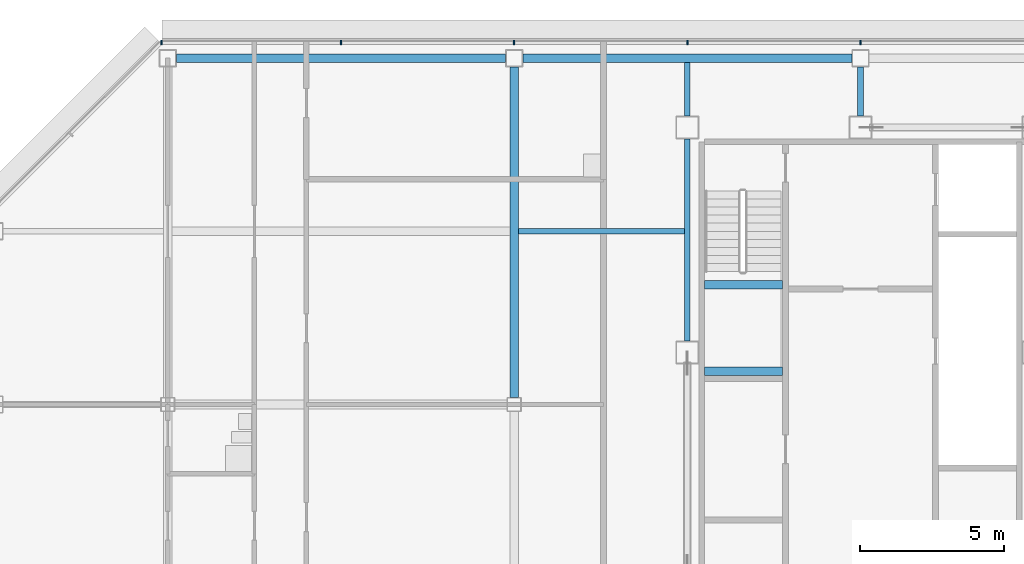
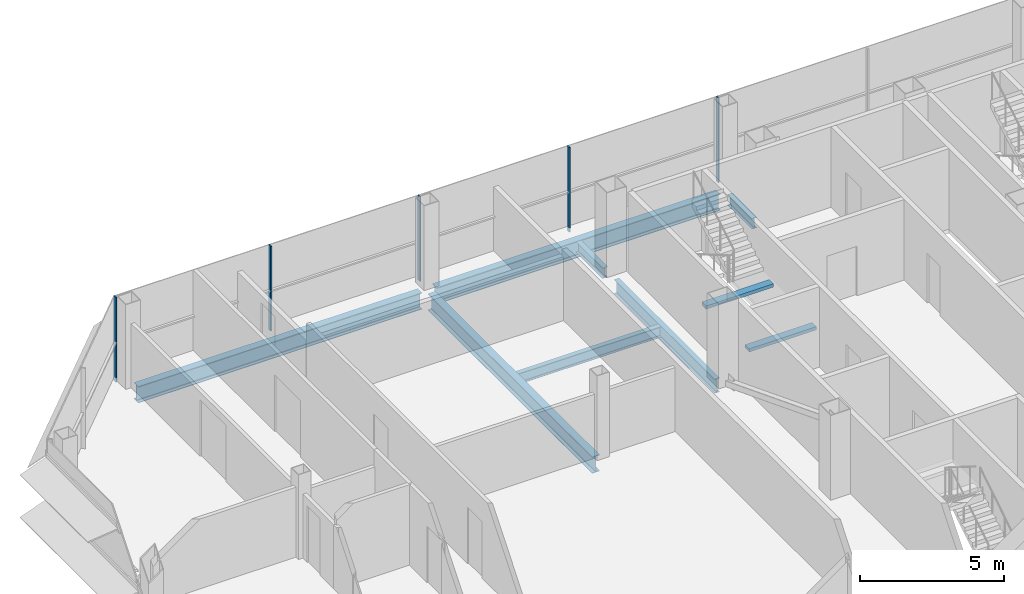
# One storey, part 13 of 27: 9 beams, 5 members, 1 element without a shape of its own.
"""IFC4 building model written with IfcOpenShell, lengths in metres."""

from ifc_helpers import new_model, si_unit, direction, frame, origin, origin_2d, place, context, subcontext, project, spatial, rectangle, i_section, extrude, material, material_profile, profile_set, type_object, element, aggregate, save


model = new_model("IFC4")

# Units and contexts
model_context = context("Model", 3, precision=1e-05, world=origin(), true_north=direction((0.0, 1.0)))
body_context = subcontext(model_context, "Body", "Model", "MODEL_VIEW")
ifc_project = project(units=[si_unit("LENGTHUNIT", "METRE"), si_unit("AREAUNIT", "SQUARE_METRE"), si_unit("VOLUMEUNIT", "CUBIC_METRE"), si_unit("PLANEANGLEUNIT", "RADIAN"), si_unit("MASSUNIT", "GRAM", prefix="KILO")], contexts=[model_context])

# Site, building, storey
site_placement = place(None, origin())
site = spatial("IfcSite", under=ifc_project, at=site_placement, CompositionType="ELEMENT")
building_placement = place(site_placement, origin())
building = spatial("IfcBuilding", under=site, at=building_placement, Name="Sorahane Residences", CompositionType="ELEMENT")
storey_placement = place(building_placement, frame((0.0, 0.0, 294.39990234375)))
storey = spatial("IfcBuildingStorey", under=building, at=storey_placement, Name="L69", CompositionType="ELEMENT", Elevation=294.39990234375)

# Curtain wall, members
ifc_material_1 = material(Name="Dark low-e glass and black anodised aluminium", Category="aluminium")
curtain_wall_type = type_object("IfcCurtainWallType", Name="Curtain wall CW-1 Typical unitised wall", PredefinedType="NOTDEFINED", material=ifc_material_1)
curtain_wall_placement = place(storey_placement, origin())
curtain_wall = element("IfcCurtainWall", 1, at=curtain_wall_placement, inside=storey, type_object=curtain_wall_type, Name="CW-1 curtain wall L69 N1", PredefinedType="NOTDEFINED")
ifc_material_2 = material(Name="Black anodised aluminium", Category="aluminium")
ifc_material_profile_1 = material_profile(ifc_material_2, rectangle(XDim=0.159912109375, YDim=0.050048828125, at=origin_2d()), Name="Curtain wall mullion CW-1 black anodised aluminium 50x160")
ifc_profile_set_1 = profile_set([ifc_material_profile_1], Name="Black anodised aluminium")
member_type = type_object("IfcMemberType", Name="Curtain wall mullion CW-1 black anodised aluminium 50x160", PredefinedType="MULLION", material=ifc_profile_set_1)
member_1_placement = place(storey_placement, frame((12.0, 48.5400390625, -0.179931640625), z_axis=(0.0, 0.0, 1.0), x_axis=(0.0, 1.0, 0.0)))
member_1 = element("IfcMember", 2, at=member_1_placement, type_object=member_type, Name="CW-1 mullion L69 N1.6", PredefinedType="MULLION", context=body_context, shape_type="SweptSolid", body=[
    extrude(rectangle(XDim=0.159912109375, YDim=0.050048828125, at=origin_2d()), origin(), (0.0, 0.0, 1.0), 3.60009765625),
])
member_2_placement = place(storey_placement, frame((6.0, 48.5400390625, -0.179931640625), z_axis=(0.0, 0.0, 1.0), x_axis=(0.0, 1.0, 0.0)))
member_2 = element("IfcMember", 3, at=member_2_placement, type_object=member_type, Name="CW-1 mullion L69 N1.7", PredefinedType="MULLION", context=body_context, shape_type="SweptSolid", body=[
    extrude(rectangle(XDim=0.159912109375, YDim=0.050048828125, at=origin_2d()), origin(), (0.0, 0.0, 1.0), 3.60009765625),
])
member_3_placement = place(storey_placement, frame((0.0, 48.5400390625, -0.179931640625), z_axis=(0.0, 0.0, 1.0), x_axis=(0.0, 1.0, 0.0)))
member_3 = element("IfcMember", 4, at=member_3_placement, type_object=member_type, Name="CW-1 mullion L69 N1.8", PredefinedType="MULLION", context=body_context, shape_type="SweptSolid", body=[
    extrude(rectangle(XDim=0.159912109375, YDim=0.050048828125, at=origin_2d()), origin(), (0.0, 0.0, 1.0), 3.60009765625),
])
member_4_placement = place(storey_placement, frame((-6.0, 48.5400390625, -0.179931640625), z_axis=(0.0, 0.0, 1.0), x_axis=(0.0, 1.0, 0.0)))
member_4 = element("IfcMember", 5, at=member_4_placement, type_object=member_type, Name="CW-1 mullion L69 N1.9", PredefinedType="MULLION", context=body_context, shape_type="SweptSolid", body=[
    extrude(rectangle(XDim=0.159912109375, YDim=0.050048828125, at=origin_2d()), origin(), (0.0, 0.0, 1.0), 3.60009765625),
])
member_5_placement = place(storey_placement, frame((-12.2236328125, 48.5400390625, -0.179931640625), z_axis=(0.0, 0.0, 1.0), x_axis=(0.0, 1.0, 0.0)))
member_5 = element("IfcMember", 6, at=member_5_placement, type_object=member_type, Name="CW-1 mullion L69 N1.10", PredefinedType="MULLION", context=body_context, shape_type="SweptSolid", body=[
    extrude(rectangle(XDim=0.159912109375, YDim=0.050048828125, at=origin_2d()), origin(), (0.0, 0.0, 1.0), 3.60009765625),
])
aggregate(curtain_wall, [member_1, member_2, member_3, member_4, member_5])

# Beams
ifc_material_3 = material(Name="Concrete C40", Category="concrete")
ifc_material_profile_2 = material_profile(ifc_material_3, rectangle(XDim=0.300048828125, YDim=0.139892578125, at=origin_2d()), Name="300x140")
ifc_profile_set_2 = profile_set([ifc_material_profile_2], Name="Concrete C40")
beam_type_1 = type_object("IfcBeamType", Name="RC landing beam 300 x 140 Concrete C40", PredefinedType="BEAM", material=ifc_profile_set_2)
for number, where, z_axis, x_axis, name in (
    (7, (6.60009765625, 37.14990234375, 1.530029296875), (1.0, 0.0, 0.0), (0.0, 1.0, 0.0), "Landing beam"),
    (8, (6.60009765625, 40.14990234375, 1.530029296875), (1.0, 0.0, 0.0), (0.0, 1.0, 0.0), "Landing beam"),
):
    element("IfcBeam", number, at=place(storey_placement, frame(where, z_axis=z_axis, x_axis=x_axis)), inside=storey, type_object=beam_type_1, Name=name, PredefinedType="BEAM", context=body_context, shape_type="SweptSolid", body=[
        extrude(rectangle(XDim=0.300048828125, YDim=0.139892578125, at=origin_2d()), origin(), (0.0, 0.0, 1.0), 2.699951171875),
    ])
ifc_material_4 = material(Name="Steel Q355B", Category="steel")
ifc_material_profile_3 = material_profile(ifc_material_4, i_section(OverallWidth=0.199951171875, OverallDepth=0.449951171875, WebThickness=0.009033203125, FlangeThickness=0.013916015625, FilletRadius=0.02001953125, at=origin_2d()), Name="HN 450x200x9x14")
ifc_profile_set_3 = profile_set([ifc_material_profile_3], Name="Steel Q355B")
beam_type_2 = type_object("IfcBeamType", Name="Steel floor beam HN 450x200x9x14 Q355B", PredefinedType="BEAM", material=ifc_profile_set_3)
beam_1_placement = place(storey_placement, frame((6.0, 46.0, -0.40478515625), z_axis=(0.0, 1.0, 0.0), x_axis=(-1.0, 0.0, 0.0)))
element("IfcBeam", 9, at=beam_1_placement, inside=storey, type_object=beam_type_2, Name="Beam L69 037", PredefinedType="BEAM", context=body_context, shape_type="SweptSolid", body=[
    extrude(i_section(OverallWidth=0.199951171875, OverallDepth=0.449951171875, WebThickness=0.009033203125, FlangeThickness=0.013916015625, FilletRadius=0.02001953125, at=origin_2d()), origin(), (0.0, 0.0, 1.0), 1.85009765625),
])
beam_2_placement = place(storey_placement, frame((12.0, 46.0, -0.40478515625), z_axis=(0.0, 1.0, 0.0), x_axis=(-1.0, 0.0, 0.0)))
element("IfcBeam", 10, at=beam_2_placement, inside=storey, type_object=beam_type_2, Name="Beam L69 039", PredefinedType="BEAM", context=body_context, shape_type="SweptSolid", body=[
    extrude(i_section(OverallWidth=0.199951171875, OverallDepth=0.449951171875, WebThickness=0.009033203125, FlangeThickness=0.013916015625, FilletRadius=0.02001953125, at=origin_2d()), origin(), (0.0, 0.0, 1.0), 1.699951171875),
])
beam_3_placement = place(storey_placement, frame((0.14990234375, 42.0, -0.40478515625), z_axis=(1.0, 0.0, 0.0), x_axis=(0.0, 1.0, 0.0)))
element("IfcBeam", 11, at=beam_3_placement, inside=storey, type_object=beam_type_2, Name="Beam L69 089", PredefinedType="BEAM", context=body_context, shape_type="SweptSolid", body=[
    extrude(i_section(OverallWidth=0.199951171875, OverallDepth=0.449951171875, WebThickness=0.009033203125, FlangeThickness=0.013916015625, FilletRadius=0.02001953125, at=origin_2d()), origin(), (0.0, 0.0, 1.0), 5.75),
])
ifc_material_5 = material(Name="Steel Q355B", Category="steel")
ifc_material_profile_4 = material_profile(ifc_material_5, i_section(OverallWidth=0.199951171875, OverallDepth=0.60009765625, WebThickness=0.010986328125, FlangeThickness=0.01708984375, FilletRadius=0.02392578125, at=origin_2d()), Name="HN 600x200x11x17")
ifc_profile_set_4 = profile_set([ifc_material_profile_4], Name="Steel Q355B")
beam_type_3 = type_object("IfcBeamType", Name="Steel floor beam HN 600x200x11x17 Q355B", PredefinedType="BEAM", material=ifc_profile_set_4)
beam_4_placement = place(storey_placement, frame((6.0, 38.199951171875, -0.47998046875), z_axis=(0.0, 1.0, 0.0), x_axis=(-1.0, 0.0, 0.0)))
element("IfcBeam", 12, at=beam_4_placement, inside=storey, type_object=beam_type_3, Name="Beam L69 036", PredefinedType="BEAM", context=body_context, shape_type="SweptSolid", body=[
    extrude(i_section(OverallWidth=0.199951171875, OverallDepth=0.60009765625, WebThickness=0.010986328125, FlangeThickness=0.01708984375, FilletRadius=0.02392578125, at=origin_2d()), origin(), (0.0, 0.0, 1.0), 7.0),
])
ifc_material_6 = material(Name="Steel Q355B", Category="steel")
ifc_material_profile_5 = material_profile(ifc_material_6, i_section(OverallWidth=0.300048828125, OverallDepth=0.699951171875, WebThickness=0.012939453125, FlangeThickness=0.02392578125, FilletRadius=0.028076171875, at=origin_2d()), Name="HN 700x300x13x24")
ifc_profile_set_5 = profile_set([ifc_material_profile_5], Name="Steel Q355B")
beam_type_4 = type_object("IfcBeamType", Name="Steel floor beam HN 700x300x13x24 Q355B", PredefinedType="BEAM", material=ifc_profile_set_5)
for number, where, z_axis, x_axis, name in (
    (13, (-11.699951171875, 48.0, -0.52978515625), (1.0, 0.0, 0.0), (0.0, 1.0, 0.0), "Beam L69 015"),
    (14, (0.300048828125, 48.0, -0.52978515625), (1.0, 0.0, 0.0), (0.0, 1.0, 0.0), "Beam L69 016"),
):
    element("IfcBeam", number, at=place(storey_placement, frame(where, z_axis=z_axis, x_axis=x_axis)), inside=storey, type_object=beam_type_4, Name=name, PredefinedType="BEAM", context=body_context, shape_type="SweptSolid", body=[
        extrude(i_section(OverallWidth=0.300048828125, OverallDepth=0.699951171875, WebThickness=0.012939453125, FlangeThickness=0.02392578125, FilletRadius=0.028076171875, at=origin_2d()), origin(), (0.0, 0.0, 1.0), 11.39990234375),
    ])
beam_5_placement = place(storey_placement, frame((0.0, 36.25, -0.52978515625), z_axis=(0.0, 1.0, 0.0), x_axis=(-1.0, 0.0, 0.0)))
element("IfcBeam", 15, at=beam_5_placement, inside=storey, type_object=beam_type_4, Name="Beam L69 031", PredefinedType="BEAM", context=body_context, shape_type="SweptSolid", body=[
    extrude(i_section(OverallWidth=0.300048828125, OverallDepth=0.699951171875, WebThickness=0.012939453125, FlangeThickness=0.02392578125, FilletRadius=0.028076171875, at=origin_2d()), origin(), (0.0, 0.0, 1.0), 11.449951171875),
])

save(model, "model.ifc")
